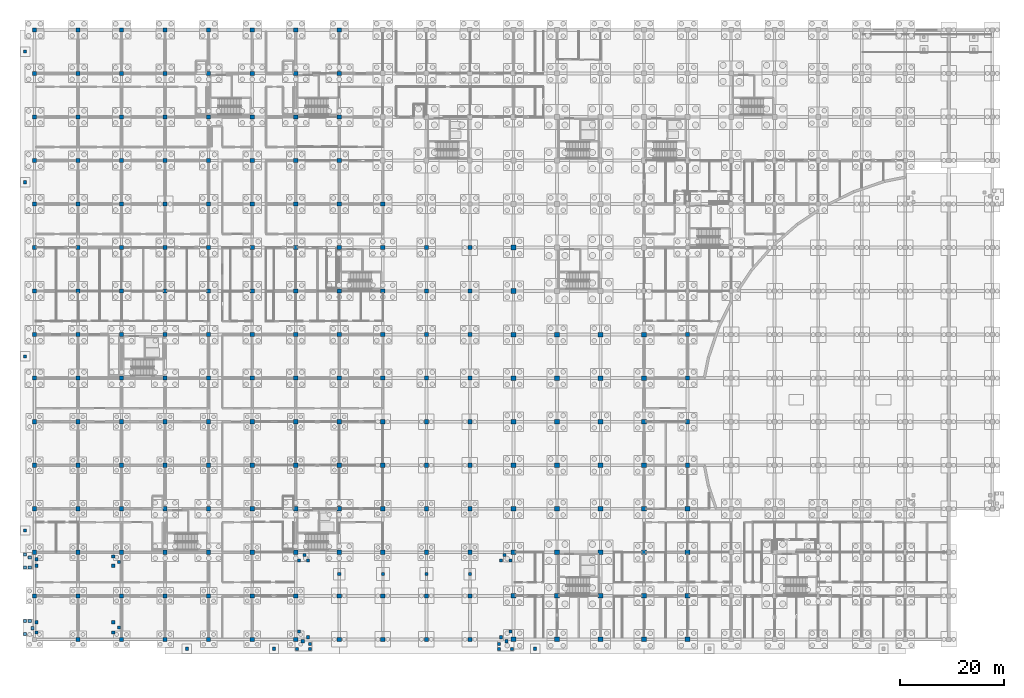
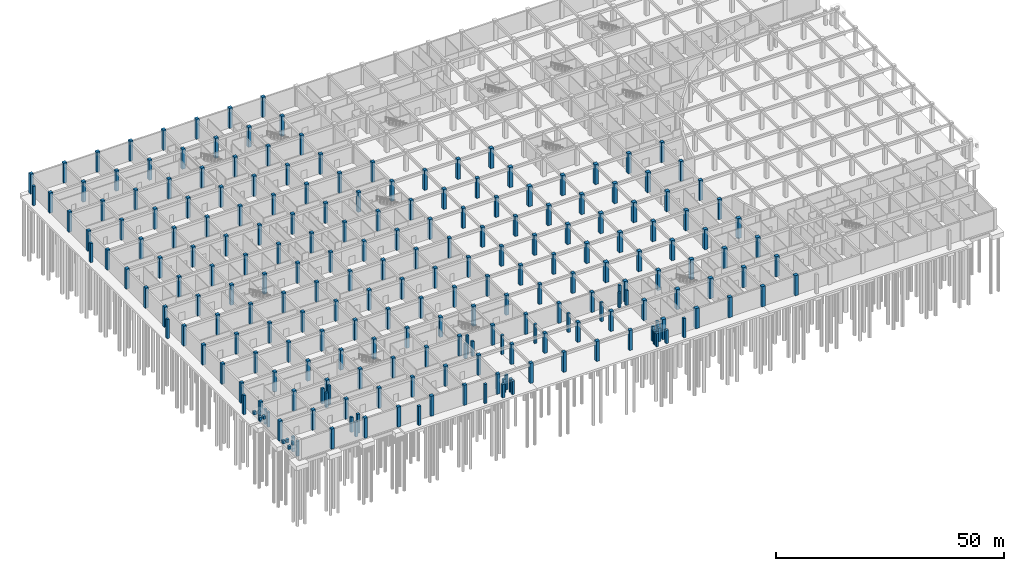
# One storey, part 18 of 65: 239 columns.
"""IFC4 building model written with IfcOpenShell, lengths in metres."""

from ifc_helpers import new_model, si_unit, direction, frame, origin, origin_2d, place, context, subcontext, project, spatial, rectangle, extrude, material, material_profile, profile_set, type_object, element, save


model = new_model("IFC4")

# Units and contexts
model_context = context("Model", 3, precision=1e-05, world=origin(), true_north=direction((0.0, 1.0)))
body_context = subcontext(model_context, "Body", "Model", "MODEL_VIEW")
ifc_project = project(units=[si_unit("LENGTHUNIT", "METRE"), si_unit("AREAUNIT", "SQUARE_METRE"), si_unit("VOLUMEUNIT", "CUBIC_METRE"), si_unit("PLANEANGLEUNIT", "RADIAN"), si_unit("MASSUNIT", "GRAM", prefix="KILO")], contexts=[model_context])

# Site, building, storey
site_placement = place(None, origin())
site = spatial("IfcSite", under=ifc_project, at=site_placement, CompositionType="ELEMENT")
building_placement = place(site_placement, origin())
building = spatial("IfcBuilding", under=site, at=building_placement, Name="Bramfleet General Hospital", CompositionType="ELEMENT")
storey_placement = place(building_placement, frame((0.0, 0.0, -5.39990234375)))
storey = spatial("IfcBuildingStorey", under=building, at=storey_placement, Name="B1", CompositionType="ELEMENT", Elevation=-5.39990234375)

# Columns
ifc_material = material(Name="Concrete C40/50", Category="concrete")
ifc_material_profile_1 = material_profile(ifc_material, rectangle(XDim=0.60009765625, YDim=0.60009765625, at=origin_2d()), Name="RC COL 600x600")
ifc_profile_set_1 = profile_set([ifc_material_profile_1], Name="Concrete C40/50")
column_type_1 = type_object("IfcColumnType", Name="COL-RC600", PredefinedType="COLUMN", material=ifc_profile_set_1)
for number, where, z_axis, x_axis, name in (
    (1, (58.800048828125, 12.60009765625, 0.0), (0.0, 0.0, 1.0), (1.0, 0.0, 0.0), "Canopy Basement Support Column 1"),
    (2, (67.199951171875, 12.60009765625, 0.0), (0.0, 0.0, 1.0), (1.0, 0.0, 0.0), "Canopy Basement Support Column 2"),
    (3, (75.60009765625, 12.60009765625, 0.0), (0.0, 0.0, 1.0), (1.0, 0.0, 0.0), "Canopy Basement Support Column 3"),
    (4, (84.0, 12.60009765625, 0.0), (0.0, 0.0, 1.0), (1.0, 0.0, 0.0), "Canopy Basement Support Column 4"),
):
    element("IfcColumn", number, at=place(storey_placement, frame(where, z_axis=z_axis, x_axis=x_axis)), inside=storey, type_object=column_type_1, Name=name, PredefinedType="COLUMN", context=body_context, shape_type="SweptSolid", body=[
        extrude(rectangle(XDim=0.60009765625, YDim=0.60009765625, at=origin_2d()), origin(), (0.0, 0.0, 1.0), 5.08984375),
    ])
for number, where, z_axis, x_axis, name in (
    (5, (-1.800048828125, 21.0, 0.0), (0.0, 0.0, 1.0), (1.0, 0.0, 0.0), "West Plinth Support Column 1"),
    (6, (-1.800048828125, 54.60009765625, 0.0), (0.0, 0.0, 1.0), (1.0, 0.0, 0.0), "West Plinth Support Column 2"),
    (7, (-1.800048828125, 88.199951171875, 0.0), (0.0, 0.0, 1.0), (1.0, 0.0, 0.0), "West Plinth Support Column 3"),
    (8, (-1.800048828125, 113.39990234375, 0.0), (0.0, 0.0, 1.0), (1.0, 0.0, 0.0), "West Plinth Support Column 4"),
    (9, (29.39990234375, -1.800048828125, 0.0), (0.0, 0.0, 1.0), (1.0, 0.0, 0.0), "South Plinth Support Column 1"),
    (10, (46.199951171875, -1.800048828125, 0.0), (0.0, 0.0, 1.0), (1.0, 0.0, 0.0), "South Plinth Support Column 2"),
    (11, (96.60009765625, -1.800048828125, 0.0), (0.0, 0.0, 1.0), (1.0, 0.0, 0.0), "South Plinth Support Column 3"),
):
    element("IfcColumn", number, at=place(storey_placement, frame(where, z_axis=z_axis, x_axis=x_axis)), inside=storey, type_object=column_type_1, Name=name, PredefinedType="COLUMN", context=body_context, shape_type="SweptSolid", body=[
        extrude(rectangle(XDim=0.60009765625, YDim=0.60009765625, at=origin_2d()), origin(), (0.0, 0.0, 1.0), 5.14990234375),
    ])
for number, where, z_axis, x_axis, name in (
    (12, (51.0, 1.5, 0.0), (0.0, 0.0, 1.0), (1.0, 0.0, 0.0), "Ramp Bearing Support Column 1.1"),
    (13, (52.800048828125, 0.39990234375, 0.0), (0.0, 0.0, 1.0), (1.0, 0.0, 0.0), "Ramp Bearing Support Column 1.2"),
    (14, (52.800048828125, 15.199951171875, 0.0), (0.0, 0.0, 1.0), (1.0, 0.0, 0.0), "Ramp Bearing Support Column 1.3"),
    (15, (51.0, 15.199951171875, 0.0), (0.0, 0.0, 1.0), (1.0, 0.0, 0.0), "Ramp Bearing Support Column 1.4"),
):
    element("IfcColumn", number, at=place(storey_placement, frame(where, z_axis=z_axis, x_axis=x_axis)), inside=storey, type_object=column_type_1, Name=name, PredefinedType="COLUMN", context=body_context, shape_type="SweptSolid", body=[
        extrude(rectangle(XDim=0.60009765625, YDim=0.60009765625, at=origin_2d()), origin(), (0.0, 0.0, 1.0), 4.0),
    ])
column_1_placement = place(storey_placement, frame((52.10009765625, 16.300048828125, 0.0), z_axis=(0.0, 0.0, 1.0), x_axis=(1.0, 0.0, 0.0)))
element("IfcColumn", 16, at=column_1_placement, inside=storey, type_object=column_type_1, Name="Ramp Bearing Support Column 1.5", PredefinedType="COLUMN", context=body_context, shape_type="SweptSolid", body=[
    extrude(rectangle(XDim=0.60009765625, YDim=0.60009765625, at=origin_2d()), origin(), (0.0, 0.0, 1.0), 5.08984375),
])
for number, where, z_axis, x_axis, name in (
    (17, (50.64990234375, -1.85009765625, 0.0), (0.0, 0.0, 1.0), (1.0, 0.0, 0.0), "Threshold Support Column 1.1"),
    (18, (53.14990234375, -1.85009765625, 0.0), (0.0, 0.0, 1.0), (1.0, 0.0, 0.0), "Threshold Support Column 1.2"),
    (19, (53.14990234375, -0.919921875, 0.0), (0.0, 0.0, 1.0), (1.0, 0.0, 0.0), "Threshold Support Column 1.3"),
    (20, (51.75, -0.3701171875, 0.0), (0.0, 0.0, 1.0), (1.0, 0.0, 0.0), "Threshold Support Column 1.4"),
):
    element("IfcColumn", number, at=place(storey_placement, frame(where, z_axis=z_axis, x_axis=x_axis)), inside=storey, type_object=column_type_1, Name=name, PredefinedType="COLUMN", context=body_context, shape_type="SweptSolid", body=[
        extrude(rectangle(XDim=0.60009765625, YDim=0.60009765625, at=origin_2d()), origin(), (0.0, 0.0, 1.0), 3.599853515625),
    ])
for number, where, z_axis, x_axis, name in (
    (21, (90.0, 0.39990234375, 0.0), (0.0, 0.0, 1.0), (1.0, 0.0, 0.0), "Ramp Bearing Support Column 2.1"),
    (22, (91.800048828125, 1.5, 0.0), (0.0, 0.0, 1.0), (1.0, 0.0, 0.0), "Ramp Bearing Support Column 2.2"),
    (23, (91.800048828125, 15.199951171875, 0.0), (0.0, 0.0, 1.0), (1.0, 0.0, 0.0), "Ramp Bearing Support Column 2.3"),
    (24, (90.0, 15.199951171875, 0.0), (0.0, 0.0, 1.0), (1.0, 0.0, 0.0), "Ramp Bearing Support Column 2.4"),
):
    element("IfcColumn", number, at=place(storey_placement, frame(where, z_axis=z_axis, x_axis=x_axis)), inside=storey, type_object=column_type_1, Name=name, PredefinedType="COLUMN", context=body_context, shape_type="SweptSolid", body=[
        extrude(rectangle(XDim=0.60009765625, YDim=0.60009765625, at=origin_2d()), origin(), (0.0, 0.0, 1.0), 4.0),
    ])
column_2_placement = place(storey_placement, frame((90.699951171875, 16.300048828125, 0.0), z_axis=(0.0, 0.0, 1.0), x_axis=(1.0, 0.0, 0.0)))
element("IfcColumn", 25, at=column_2_placement, inside=storey, type_object=column_type_1, Name="Ramp Bearing Support Column 2.5", PredefinedType="COLUMN", context=body_context, shape_type="SweptSolid", body=[
    extrude(rectangle(XDim=0.60009765625, YDim=0.60009765625, at=origin_2d()), origin(), (0.0, 0.0, 1.0), 5.08984375),
])
for number, where, z_axis, x_axis, name in (
    (26, (89.64990234375, -1.85009765625, 0.0), (0.0, 0.0, 1.0), (1.0, 0.0, 0.0), "Threshold Support Column 2.1"),
    (27, (92.14990234375, -1.85009765625, 0.0), (0.0, 0.0, 1.0), (1.0, 0.0, 0.0), "Threshold Support Column 2.2"),
    (28, (91.050048828125, -0.3701171875, 0.0), (0.0, 0.0, 1.0), (1.0, 0.0, 0.0), "Threshold Support Column 2.3"),
    (29, (89.64990234375, -0.919921875, 0.0), (0.0, 0.0, 1.0), (1.0, 0.0, 0.0), "Threshold Support Column 2.4"),
):
    element("IfcColumn", number, at=place(storey_placement, frame(where, z_axis=z_axis, x_axis=x_axis)), inside=storey, type_object=column_type_1, Name=name, PredefinedType="COLUMN", context=body_context, shape_type="SweptSolid", body=[
        extrude(rectangle(XDim=0.60009765625, YDim=0.60009765625, at=origin_2d()), origin(), (0.0, 0.0, 1.0), 3.599853515625),
    ])
for number, where, z_axis, x_axis, name in (
    (30, (0.39990234375, 1.300048828125, 0.0), (0.0, 0.0, 1.0), (1.0, 0.0, 0.0), "Ramp Bearing Support Column 3.1"),
    (31, (15.199951171875, 1.300048828125, 0.0), (0.0, 0.0, 1.0), (1.0, 0.0, 0.0), "Ramp Bearing Support Column 3.2"),
    (32, (15.199951171875, 3.300048828125, 0.0), (0.0, 0.0, 1.0), (1.0, 0.0, 0.0), "Ramp Bearing Support Column 3.3"),
    (33, (0.39990234375, 3.300048828125, 0.0), (0.0, 0.0, 1.0), (1.0, 0.0, 0.0), "Ramp Bearing Support Column 3.4"),
):
    element("IfcColumn", number, at=place(storey_placement, frame(where, z_axis=z_axis, x_axis=x_axis)), inside=storey, type_object=column_type_1, Name=name, PredefinedType="COLUMN", context=body_context, shape_type="SweptSolid", body=[
        extrude(rectangle(XDim=0.60009765625, YDim=0.60009765625, at=origin_2d()), origin(), (0.0, 0.0, 1.0), 4.0),
    ])
column_3_placement = place(storey_placement, frame((16.300048828125, 2.300048828125, 0.0), z_axis=(0.0, 0.0, 1.0), x_axis=(1.0, 0.0, 0.0)))
element("IfcColumn", 34, at=column_3_placement, inside=storey, type_object=column_type_1, Name="Ramp Bearing Support Column 3.5", PredefinedType="COLUMN", context=body_context, shape_type="SweptSolid", body=[
    extrude(rectangle(XDim=0.60009765625, YDim=0.60009765625, at=origin_2d()), origin(), (0.0, 0.0, 1.0), 5.08984375),
])
for number, where, z_axis, x_axis, name in (
    (35, (-1.85009765625, 1.050048828125, 2.75), (0.0, 0.0, 1.0), (1.0, 0.0, 0.0), "Threshold Support Column 3.1"),
    (36, (-0.3701171875, 2.14990234375, 2.75), (0.0, 0.0, 1.0), (1.0, 0.0, 0.0), "Threshold Support Column 3.2"),
    (37, (-0.919921875, 3.550048828125, 2.75), (0.0, 0.0, 1.0), (1.0, 0.0, 0.0), "Threshold Support Column 3.3"),
    (38, (-1.85009765625, 3.550048828125, 2.75), (0.0, 0.0, 1.0), (1.0, 0.0, 0.0), "Threshold Support Column 3.4"),
):
    element("IfcColumn", number, at=place(storey_placement, frame(where, z_axis=z_axis, x_axis=x_axis)), inside=storey, type_object=column_type_1, Name=name, PredefinedType="COLUMN", context=body_context, shape_type="SweptSolid", body=[
        extrude(rectangle(XDim=0.60009765625, YDim=0.60009765625, at=origin_2d()), origin(), (0.0, 0.0, 1.0), 0.849853515625),
    ])
for number, where, z_axis, x_axis, name in (
    (39, (0.39990234375, 14.199951171875, 0.0), (0.0, 0.0, 1.0), (1.0, 0.0, 0.0), "Ramp Bearing Support Column 4.1"),
    (40, (15.199951171875, 14.199951171875, 0.0), (0.0, 0.0, 1.0), (1.0, 0.0, 0.0), "Ramp Bearing Support Column 4.2"),
    (41, (15.199951171875, 16.0, 0.0), (0.0, 0.0, 1.0), (1.0, 0.0, 0.0), "Ramp Bearing Support Column 4.3"),
    (42, (0.39990234375, 15.449951171875, 0.0), (0.0, 0.0, 1.0), (1.0, 0.0, 0.0), "Ramp Bearing Support Column 4.4"),
):
    element("IfcColumn", number, at=place(storey_placement, frame(where, z_axis=z_axis, x_axis=x_axis)), inside=storey, type_object=column_type_1, Name=name, PredefinedType="COLUMN", context=body_context, shape_type="SweptSolid", body=[
        extrude(rectangle(XDim=0.60009765625, YDim=0.60009765625, at=origin_2d()), origin(), (0.0, 0.0, 1.0), 4.0),
    ])
column_4_placement = place(storey_placement, frame((16.300048828125, 14.89990234375, 0.0), z_axis=(0.0, 0.0, 1.0), x_axis=(1.0, 0.0, 0.0)))
element("IfcColumn", 43, at=column_4_placement, inside=storey, type_object=column_type_1, Name="Ramp Bearing Support Column 4.5", PredefinedType="COLUMN", context=body_context, shape_type="SweptSolid", body=[
    extrude(rectangle(XDim=0.60009765625, YDim=0.60009765625, at=origin_2d()), origin(), (0.0, 0.0, 1.0), 5.08984375),
])
for number, where, z_axis, x_axis, name in (
    (44, (-1.85009765625, 13.85009765625, 2.75), (0.0, 0.0, 1.0), (1.0, 0.0, 0.0), "Threshold Support Column 4.1"),
    (45, (-0.919921875, 13.85009765625, 2.75), (0.0, 0.0, 1.0), (1.0, 0.0, 0.0), "Threshold Support Column 4.2"),
    (46, (-0.919921875, 15.800048828125, 2.75), (0.0, 0.0, 1.0), (1.0, 0.0, 0.0), "Threshold Support Column 4.3"),
    (47, (-1.85009765625, 16.35009765625, 2.75), (0.0, 0.0, 1.0), (1.0, 0.0, 0.0), "Threshold Support Column 4.4"),
):
    element("IfcColumn", number, at=place(storey_placement, frame(where, z_axis=z_axis, x_axis=x_axis)), inside=storey, type_object=column_type_1, Name=name, PredefinedType="COLUMN", context=body_context, shape_type="SweptSolid", body=[
        extrude(rectangle(XDim=0.60009765625, YDim=0.60009765625, at=origin_2d()), origin(), (0.0, 0.0, 1.0), 0.849853515625),
    ])
ifc_material_profile_2 = material_profile(ifc_material, rectangle(XDim=0.800048828125, YDim=0.800048828125, at=origin_2d()), Name="RC COL 800x800")
ifc_profile_set_2 = profile_set([ifc_material_profile_2], Name="Concrete C40/50")
column_type_2 = type_object("IfcColumnType", Name="COL-RC800", PredefinedType="COLUMN", material=ifc_profile_set_2)
for number, where, z_axis, x_axis, name in (
    (48, (0.0, 8.39990234375, 0.0), (0.0, 0.0, 1.0), (1.0, 0.0, 0.0), "Column COL-B1-00-01"),
    (49, (0.0, 16.800048828125, 0.0), (0.0, 0.0, 1.0), (1.0, 0.0, 0.0), "Column COL-B1-00-02"),
    (50, (0.0, 25.199951171875, 0.0), (0.0, 0.0, 1.0), (1.0, 0.0, 0.0), "Column COL-B1-00-03"),
    (51, (0.0, 33.60009765625, 0.0), (0.0, 0.0, 1.0), (1.0, 0.0, 0.0), "Column COL-B1-00-04"),
    (52, (0.0, 42.0, 0.0), (0.0, 0.0, 1.0), (1.0, 0.0, 0.0), "Column COL-B1-00-05"),
    (53, (0.0, 50.39990234375, 0.0), (0.0, 0.0, 1.0), (1.0, 0.0, 0.0), "Column COL-B1-00-06"),
    (54, (0.0, 58.800048828125, 0.0), (0.0, 0.0, 1.0), (1.0, 0.0, 0.0), "Column COL-B1-00-07"),
    (55, (0.0, 67.199951171875, 0.0), (0.0, 0.0, 1.0), (1.0, 0.0, 0.0), "Column COL-B1-00-08"),
    (56, (0.0, 75.60009765625, 0.0), (0.0, 0.0, 1.0), (1.0, 0.0, 0.0), "Column COL-B1-00-09"),
    (57, (0.0, 84.0, 0.0), (0.0, 0.0, 1.0), (1.0, 0.0, 0.0), "Column COL-B1-00-10"),
    (58, (0.0, 92.39990234375, 0.0), (0.0, 0.0, 1.0), (1.0, 0.0, 0.0), "Column COL-B1-00-11"),
    (59, (0.0, 100.800048828125, 0.0), (0.0, 0.0, 1.0), (1.0, 0.0, 0.0), "Column COL-B1-00-12"),
    (60, (0.0, 109.199951171875, 0.0), (0.0, 0.0, 1.0), (1.0, 0.0, 0.0), "Column COL-B1-00-13"),
    (61, (0.0, 117.60009765625, 0.0), (0.0, 0.0, 1.0), (1.0, 0.0, 0.0), "Column COL-B1-00-14"),
    (62, (8.39990234375, 0.0, 0.0), (0.0, 0.0, 1.0), (1.0, 0.0, 0.0), "Column COL-B1-01-00"),
    (63, (8.39990234375, 8.39990234375, 0.0), (0.0, 0.0, 1.0), (1.0, 0.0, 0.0), "Column COL-B1-01-01"),
    (64, (8.39990234375, 16.800048828125, 0.0), (0.0, 0.0, 1.0), (1.0, 0.0, 0.0), "Column COL-B1-01-02"),
    (65, (8.39990234375, 25.199951171875, 0.0), (0.0, 0.0, 1.0), (1.0, 0.0, 0.0), "Column COL-B1-01-03"),
    (66, (8.39990234375, 33.60009765625, 0.0), (0.0, 0.0, 1.0), (1.0, 0.0, 0.0), "Column COL-B1-01-04"),
    (67, (8.39990234375, 42.0, 0.0), (0.0, 0.0, 1.0), (1.0, 0.0, 0.0), "Column COL-B1-01-05"),
    (68, (8.39990234375, 50.39990234375, 0.0), (0.0, 0.0, 1.0), (1.0, 0.0, 0.0), "Column COL-B1-01-06"),
    (69, (8.39990234375, 58.800048828125, 0.0), (0.0, 0.0, 1.0), (1.0, 0.0, 0.0), "Column COL-B1-01-07"),
    (70, (8.39990234375, 67.199951171875, 0.0), (0.0, 0.0, 1.0), (1.0, 0.0, 0.0), "Column COL-B1-01-08"),
    (71, (8.39990234375, 75.60009765625, 0.0), (0.0, 0.0, 1.0), (1.0, 0.0, 0.0), "Column COL-B1-01-09"),
    (72, (8.39990234375, 84.0, 0.0), (0.0, 0.0, 1.0), (1.0, 0.0, 0.0), "Column COL-B1-01-10"),
    (73, (8.39990234375, 92.39990234375, 0.0), (0.0, 0.0, 1.0), (1.0, 0.0, 0.0), "Column COL-B1-01-11"),
    (74, (8.39990234375, 100.800048828125, 0.0), (0.0, 0.0, 1.0), (1.0, 0.0, 0.0), "Column COL-B1-01-12"),
    (75, (8.39990234375, 109.199951171875, 0.0), (0.0, 0.0, 1.0), (1.0, 0.0, 0.0), "Column COL-B1-01-13"),
    (76, (8.39990234375, 117.60009765625, 0.0), (0.0, 0.0, 1.0), (1.0, 0.0, 0.0), "Column COL-B1-01-14"),
    (77, (16.800048828125, 0.0, 0.0), (0.0, 0.0, 1.0), (1.0, 0.0, 0.0), "Column COL-B1-02-00"),
    (78, (16.800048828125, 8.39990234375, 0.0), (0.0, 0.0, 1.0), (1.0, 0.0, 0.0), "Column COL-B1-02-01"),
    (79, (16.800048828125, 16.800048828125, 0.0), (0.0, 0.0, 1.0), (1.0, 0.0, 0.0), "Column COL-B1-02-02"),
    (80, (16.800048828125, 25.199951171875, 0.0), (0.0, 0.0, 1.0), (1.0, 0.0, 0.0), "Column COL-B1-02-03"),
    (81, (16.800048828125, 33.60009765625, 0.0), (0.0, 0.0, 1.0), (1.0, 0.0, 0.0), "Column COL-B1-02-04"),
    (82, (16.800048828125, 42.0, 0.0), (0.0, 0.0, 1.0), (1.0, 0.0, 0.0), "Column COL-B1-02-05"),
    (83, (16.800048828125, 50.39990234375, 0.0), (0.0, 0.0, 1.0), (1.0, 0.0, 0.0), "Column COL-B1-02-06"),
    (84, (16.800048828125, 58.800048828125, 0.0), (0.0, 0.0, 1.0), (1.0, 0.0, 0.0), "Column COL-B1-02-07"),
    (85, (16.800048828125, 67.199951171875, 0.0), (0.0, 0.0, 1.0), (1.0, 0.0, 0.0), "Column COL-B1-02-08"),
    (86, (16.800048828125, 75.60009765625, 0.0), (0.0, 0.0, 1.0), (1.0, 0.0, 0.0), "Column COL-B1-02-09"),
    (87, (16.800048828125, 84.0, 0.0), (0.0, 0.0, 1.0), (1.0, 0.0, 0.0), "Column COL-B1-02-10"),
    (88, (16.800048828125, 92.39990234375, 0.0), (0.0, 0.0, 1.0), (1.0, 0.0, 0.0), "Column COL-B1-02-11"),
    (89, (16.800048828125, 100.800048828125, 0.0), (0.0, 0.0, 1.0), (1.0, 0.0, 0.0), "Column COL-B1-02-12"),
    (90, (16.800048828125, 109.199951171875, 0.0), (0.0, 0.0, 1.0), (1.0, 0.0, 0.0), "Column COL-B1-02-13"),
    (91, (16.800048828125, 117.60009765625, 0.0), (0.0, 0.0, 1.0), (1.0, 0.0, 0.0), "Column COL-B1-02-14"),
    (92, (25.199951171875, 0.0, 0.0), (0.0, 0.0, 1.0), (1.0, 0.0, 0.0), "Column COL-B1-03-00"),
    (93, (25.199951171875, 8.39990234375, 0.0), (0.0, 0.0, 1.0), (1.0, 0.0, 0.0), "Column COL-B1-03-01"),
    (94, (25.199951171875, 16.800048828125, 0.0), (0.0, 0.0, 1.0), (1.0, 0.0, 0.0), "Column COL-B1-03-02"),
    (95, (25.199951171875, 25.199951171875, 0.0), (0.0, 0.0, 1.0), (1.0, 0.0, 0.0), "Column COL-B1-03-03"),
    (96, (25.199951171875, 33.60009765625, 0.0), (0.0, 0.0, 1.0), (1.0, 0.0, 0.0), "Column COL-B1-03-04"),
    (97, (25.199951171875, 42.0, 0.0), (0.0, 0.0, 1.0), (1.0, 0.0, 0.0), "Column COL-B1-03-05"),
    (98, (25.199951171875, 50.39990234375, 0.0), (0.0, 0.0, 1.0), (1.0, 0.0, 0.0), "Column COL-B1-03-06"),
    (99, (25.199951171875, 58.800048828125, 0.0), (0.0, 0.0, 1.0), (1.0, 0.0, 0.0), "Column COL-B1-03-07"),
    (100, (25.199951171875, 67.199951171875, 0.0), (0.0, 0.0, 1.0), (1.0, 0.0, 0.0), "Column COL-B1-03-08"),
    (101, (25.199951171875, 75.60009765625, 0.0), (0.0, 0.0, 1.0), (1.0, 0.0, 0.0), "Column COL-B1-03-09"),
    (102, (25.199951171875, 84.0, 0.0), (0.0, 0.0, 1.0), (1.0, 0.0, 0.0), "Column COL-B1-03-10"),
    (103, (25.199951171875, 92.39990234375, 0.0), (0.0, 0.0, 1.0), (1.0, 0.0, 0.0), "Column COL-B1-03-11"),
    (104, (25.199951171875, 100.800048828125, 0.0), (0.0, 0.0, 1.0), (1.0, 0.0, 0.0), "Column COL-B1-03-12"),
    (105, (25.199951171875, 109.199951171875, 0.0), (0.0, 0.0, 1.0), (1.0, 0.0, 0.0), "Column COL-B1-03-13"),
    (106, (25.199951171875, 117.60009765625, 0.0), (0.0, 0.0, 1.0), (1.0, 0.0, 0.0), "Column COL-B1-03-14"),
    (107, (33.60009765625, 0.0, 0.0), (0.0, 0.0, 1.0), (1.0, 0.0, 0.0), "Column COL-B1-04-00"),
    (108, (33.60009765625, 8.39990234375, 0.0), (0.0, 0.0, 1.0), (1.0, 0.0, 0.0), "Column COL-B1-04-01"),
    (109, (33.60009765625, 16.800048828125, 0.0), (0.0, 0.0, 1.0), (1.0, 0.0, 0.0), "Column COL-B1-04-02"),
    (110, (33.60009765625, 25.199951171875, 0.0), (0.0, 0.0, 1.0), (1.0, 0.0, 0.0), "Column COL-B1-04-03"),
    (111, (33.60009765625, 33.60009765625, 0.0), (0.0, 0.0, 1.0), (1.0, 0.0, 0.0), "Column COL-B1-04-04"),
    (112, (33.60009765625, 42.0, 0.0), (0.0, 0.0, 1.0), (1.0, 0.0, 0.0), "Column COL-B1-04-05"),
    (113, (33.60009765625, 50.39990234375, 0.0), (0.0, 0.0, 1.0), (1.0, 0.0, 0.0), "Column COL-B1-04-06"),
    (114, (33.60009765625, 58.800048828125, 0.0), (0.0, 0.0, 1.0), (1.0, 0.0, 0.0), "Column COL-B1-04-07"),
    (115, (33.60009765625, 67.199951171875, 0.0), (0.0, 0.0, 1.0), (1.0, 0.0, 0.0), "Column COL-B1-04-08"),
    (116, (33.60009765625, 75.60009765625, 0.0), (0.0, 0.0, 1.0), (1.0, 0.0, 0.0), "Column COL-B1-04-09"),
    (117, (33.60009765625, 84.0, 0.0), (0.0, 0.0, 1.0), (1.0, 0.0, 0.0), "Column COL-B1-04-10"),
    (118, (33.60009765625, 92.39990234375, 0.0), (0.0, 0.0, 1.0), (1.0, 0.0, 0.0), "Column COL-B1-04-11"),
    (119, (33.60009765625, 100.800048828125, 0.0), (0.0, 0.0, 1.0), (1.0, 0.0, 0.0), "Column COL-B1-04-12"),
    (120, (33.60009765625, 109.199951171875, 0.0), (0.0, 0.0, 1.0), (1.0, 0.0, 0.0), "Column COL-B1-04-13"),
    (121, (33.60009765625, 117.60009765625, 0.0), (0.0, 0.0, 1.0), (1.0, 0.0, 0.0), "Column COL-B1-04-14"),
    (122, (42.0, 0.0, 0.0), (0.0, 0.0, 1.0), (1.0, 0.0, 0.0), "Column COL-B1-05-00"),
    (123, (42.0, 8.39990234375, 0.0), (0.0, 0.0, 1.0), (1.0, 0.0, 0.0), "Column COL-B1-05-01"),
    (124, (42.0, 16.800048828125, 0.0), (0.0, 0.0, 1.0), (1.0, 0.0, 0.0), "Column COL-B1-05-02"),
    (125, (42.0, 25.199951171875, 0.0), (0.0, 0.0, 1.0), (1.0, 0.0, 0.0), "Column COL-B1-05-03"),
    (126, (42.0, 33.60009765625, 0.0), (0.0, 0.0, 1.0), (1.0, 0.0, 0.0), "Column COL-B1-05-04"),
    (127, (42.0, 42.0, 0.0), (0.0, 0.0, 1.0), (1.0, 0.0, 0.0), "Column COL-B1-05-05"),
    (128, (42.0, 50.39990234375, 0.0), (0.0, 0.0, 1.0), (1.0, 0.0, 0.0), "Column COL-B1-05-06"),
    (129, (42.0, 58.800048828125, 0.0), (0.0, 0.0, 1.0), (1.0, 0.0, 0.0), "Column COL-B1-05-07"),
    (130, (42.0, 67.199951171875, 0.0), (0.0, 0.0, 1.0), (1.0, 0.0, 0.0), "Column COL-B1-05-08"),
    (131, (42.0, 75.60009765625, 0.0), (0.0, 0.0, 1.0), (1.0, 0.0, 0.0), "Column COL-B1-05-09"),
    (132, (42.0, 84.0, 0.0), (0.0, 0.0, 1.0), (1.0, 0.0, 0.0), "Column COL-B1-05-10"),
    (133, (42.0, 92.39990234375, 0.0), (0.0, 0.0, 1.0), (1.0, 0.0, 0.0), "Column COL-B1-05-11"),
    (134, (42.0, 100.800048828125, 0.0), (0.0, 0.0, 1.0), (1.0, 0.0, 0.0), "Column COL-B1-05-12"),
    (135, (42.0, 109.199951171875, 0.0), (0.0, 0.0, 1.0), (1.0, 0.0, 0.0), "Column COL-B1-05-13"),
    (136, (42.0, 117.60009765625, 0.0), (0.0, 0.0, 1.0), (1.0, 0.0, 0.0), "Column COL-B1-05-14"),
    (137, (50.39990234375, 0.0, 0.0), (0.0, 0.0, 1.0), (1.0, 0.0, 0.0), "Column COL-B1-06-00"),
    (138, (50.39990234375, 8.39990234375, 0.0), (0.0, 0.0, 1.0), (1.0, 0.0, 0.0), "Column COL-B1-06-01"),
    (139, (50.39990234375, 16.800048828125, 0.0), (0.0, 0.0, 1.0), (1.0, 0.0, 0.0), "Column COL-B1-06-02"),
    (140, (50.39990234375, 25.199951171875, 0.0), (0.0, 0.0, 1.0), (1.0, 0.0, 0.0), "Column COL-B1-06-03"),
    (141, (50.39990234375, 33.60009765625, 0.0), (0.0, 0.0, 1.0), (1.0, 0.0, 0.0), "Column COL-B1-06-04"),
    (142, (50.39990234375, 42.0, 0.0), (0.0, 0.0, 1.0), (1.0, 0.0, 0.0), "Column COL-B1-06-05"),
    (143, (50.39990234375, 50.39990234375, 0.0), (0.0, 0.0, 1.0), (1.0, 0.0, 0.0), "Column COL-B1-06-06"),
    (144, (50.39990234375, 58.800048828125, 0.0), (0.0, 0.0, 1.0), (1.0, 0.0, 0.0), "Column COL-B1-06-07"),
    (145, (50.39990234375, 67.199951171875, 0.0), (0.0, 0.0, 1.0), (1.0, 0.0, 0.0), "Column COL-B1-06-08"),
    (146, (50.39990234375, 75.60009765625, 0.0), (0.0, 0.0, 1.0), (1.0, 0.0, 0.0), "Column COL-B1-06-09"),
    (147, (50.39990234375, 84.0, 0.0), (0.0, 0.0, 1.0), (1.0, 0.0, 0.0), "Column COL-B1-06-10"),
    (148, (50.39990234375, 92.39990234375, 0.0), (0.0, 0.0, 1.0), (1.0, 0.0, 0.0), "Column COL-B1-06-11"),
    (149, (50.39990234375, 100.800048828125, 0.0), (0.0, 0.0, 1.0), (1.0, 0.0, 0.0), "Column COL-B1-06-12"),
    (150, (50.39990234375, 109.199951171875, 0.0), (0.0, 0.0, 1.0), (1.0, 0.0, 0.0), "Column COL-B1-06-13"),
    (151, (50.39990234375, 117.60009765625, 0.0), (0.0, 0.0, 1.0), (1.0, 0.0, 0.0), "Column COL-B1-06-14"),
    (152, (58.800048828125, 0.0, 0.0), (0.0, 0.0, 1.0), (1.0, 0.0, 0.0), "Column COL-B1-07-00"),
    (153, (58.800048828125, 8.39990234375, 0.0), (0.0, 0.0, 1.0), (1.0, 0.0, 0.0), "Column COL-B1-07-01"),
    (154, (58.800048828125, 16.800048828125, 0.0), (0.0, 0.0, 1.0), (1.0, 0.0, 0.0), "Column COL-B1-07-02"),
    (155, (58.800048828125, 25.199951171875, 0.0), (0.0, 0.0, 1.0), (1.0, 0.0, 0.0), "Column COL-B1-07-03"),
    (156, (58.800048828125, 33.60009765625, 0.0), (0.0, 0.0, 1.0), (1.0, 0.0, 0.0), "Column COL-B1-07-04"),
    (157, (58.800048828125, 42.0, 0.0), (0.0, 0.0, 1.0), (1.0, 0.0, 0.0), "Column COL-B1-07-05"),
    (158, (58.800048828125, 50.39990234375, 0.0), (0.0, 0.0, 1.0), (1.0, 0.0, 0.0), "Column COL-B1-07-06"),
    (159, (58.800048828125, 58.800048828125, 0.0), (0.0, 0.0, 1.0), (1.0, 0.0, 0.0), "Column COL-B1-07-07"),
    (160, (58.800048828125, 67.199951171875, 0.0), (0.0, 0.0, 1.0), (1.0, 0.0, 0.0), "Column COL-B1-07-08"),
    (161, (58.800048828125, 75.60009765625, 0.0), (0.0, 0.0, 1.0), (1.0, 0.0, 0.0), "Column COL-B1-07-09"),
    (162, (58.800048828125, 84.0, 0.0), (0.0, 0.0, 1.0), (1.0, 0.0, 0.0), "Column COL-B1-07-10"),
    (163, (58.800048828125, 92.39990234375, 0.0), (0.0, 0.0, 1.0), (1.0, 0.0, 0.0), "Column COL-B1-07-11"),
    (164, (58.800048828125, 100.800048828125, 0.0), (0.0, 0.0, 1.0), (1.0, 0.0, 0.0), "Column COL-B1-07-12"),
    (165, (58.800048828125, 109.199951171875, 0.0), (0.0, 0.0, 1.0), (1.0, 0.0, 0.0), "Column COL-B1-07-13"),
    (166, (58.800048828125, 117.60009765625, 0.0), (0.0, 0.0, 1.0), (1.0, 0.0, 0.0), "Column COL-B1-07-14"),
    (167, (67.199951171875, 0.0, 0.0), (0.0, 0.0, 1.0), (1.0, 0.0, 0.0), "Column COL-B1-08-00"),
    (168, (67.199951171875, 8.39990234375, 0.0), (0.0, 0.0, 1.0), (1.0, 0.0, 0.0), "Column COL-B1-08-01"),
    (169, (67.199951171875, 16.800048828125, 0.0), (0.0, 0.0, 1.0), (1.0, 0.0, 0.0), "Column COL-B1-08-02"),
    (170, (67.199951171875, 25.199951171875, 0.0), (0.0, 0.0, 1.0), (1.0, 0.0, 0.0), "Column COL-B1-08-03"),
    (171, (67.199951171875, 33.60009765625, 0.0), (0.0, 0.0, 1.0), (1.0, 0.0, 0.0), "Column COL-B1-08-04"),
    (172, (67.199951171875, 42.0, 0.0), (0.0, 0.0, 1.0), (1.0, 0.0, 0.0), "Column COL-B1-08-05"),
    (173, (67.199951171875, 50.39990234375, 0.0), (0.0, 0.0, 1.0), (1.0, 0.0, 0.0), "Column COL-B1-08-06"),
    (174, (67.199951171875, 58.800048828125, 0.0), (0.0, 0.0, 1.0), (1.0, 0.0, 0.0), "Column COL-B1-08-07"),
    (175, (67.199951171875, 67.199951171875, 0.0), (0.0, 0.0, 1.0), (1.0, 0.0, 0.0), "Column COL-B1-08-08"),
    (176, (67.199951171875, 75.60009765625, 0.0), (0.0, 0.0, 1.0), (1.0, 0.0, 0.0), "Column COL-B1-08-09"),
    (177, (67.199951171875, 84.0, 0.0), (0.0, 0.0, 1.0), (1.0, 0.0, 0.0), "Column COL-B1-08-10"),
    (178, (75.60009765625, 0.0, 0.0), (0.0, 0.0, 1.0), (1.0, 0.0, 0.0), "Column COL-B1-09-00"),
    (179, (75.60009765625, 8.39990234375, 0.0), (0.0, 0.0, 1.0), (1.0, 0.0, 0.0), "Column COL-B1-09-01"),
    (180, (75.60009765625, 16.800048828125, 0.0), (0.0, 0.0, 1.0), (1.0, 0.0, 0.0), "Column COL-B1-09-02"),
    (181, (75.60009765625, 25.199951171875, 0.0), (0.0, 0.0, 1.0), (1.0, 0.0, 0.0), "Column COL-B1-09-03"),
    (182, (75.60009765625, 33.60009765625, 0.0), (0.0, 0.0, 1.0), (1.0, 0.0, 0.0), "Column COL-B1-09-04"),
    (183, (75.60009765625, 42.0, 0.0), (0.0, 0.0, 1.0), (1.0, 0.0, 0.0), "Column COL-B1-09-05"),
    (184, (75.60009765625, 50.39990234375, 0.0), (0.0, 0.0, 1.0), (1.0, 0.0, 0.0), "Column COL-B1-09-06"),
    (185, (75.60009765625, 58.800048828125, 0.0), (0.0, 0.0, 1.0), (1.0, 0.0, 0.0), "Column COL-B1-09-07"),
    (186, (75.60009765625, 67.199951171875, 0.0), (0.0, 0.0, 1.0), (1.0, 0.0, 0.0), "Column COL-B1-09-08"),
    (187, (75.60009765625, 75.60009765625, 0.0), (0.0, 0.0, 1.0), (1.0, 0.0, 0.0), "Column COL-B1-09-09"),
    (188, (84.0, 0.0, 0.0), (0.0, 0.0, 1.0), (1.0, 0.0, 0.0), "Column COL-B1-10-00"),
    (189, (84.0, 8.39990234375, 0.0), (0.0, 0.0, 1.0), (1.0, 0.0, 0.0), "Column COL-B1-10-01"),
    (190, (84.0, 16.800048828125, 0.0), (0.0, 0.0, 1.0), (1.0, 0.0, 0.0), "Column COL-B1-10-02"),
    (191, (84.0, 25.199951171875, 0.0), (0.0, 0.0, 1.0), (1.0, 0.0, 0.0), "Column COL-B1-10-03"),
    (192, (84.0, 33.60009765625, 0.0), (0.0, 0.0, 1.0), (1.0, 0.0, 0.0), "Column COL-B1-10-04"),
    (193, (84.0, 42.0, 0.0), (0.0, 0.0, 1.0), (1.0, 0.0, 0.0), "Column COL-B1-10-05"),
    (194, (84.0, 50.39990234375, 0.0), (0.0, 0.0, 1.0), (1.0, 0.0, 0.0), "Column COL-B1-10-06"),
    (195, (84.0, 58.800048828125, 0.0), (0.0, 0.0, 1.0), (1.0, 0.0, 0.0), "Column COL-B1-10-07"),
    (196, (84.0, 67.199951171875, 0.0), (0.0, 0.0, 1.0), (1.0, 0.0, 0.0), "Column COL-B1-10-08"),
    (197, (84.0, 75.60009765625, 0.0), (0.0, 0.0, 1.0), (1.0, 0.0, 0.0), "Column COL-B1-10-09"),
    (198, (126.0, 33.60009765625, 0.0), (0.0, 0.0, 1.0), (1.0, 0.0, 0.0), "Column COL-B1-15-04"),
    (199, (126.0, 42.0, 0.0), (0.0, 0.0, 1.0), (1.0, 0.0, 0.0), "Column COL-B1-15-05"),
    (200, (126.0, 50.39990234375, 0.0), (0.0, 0.0, 1.0), (1.0, 0.0, 0.0), "Column COL-B1-15-06"),
    (201, (126.0, 58.800048828125, 0.0), (0.0, 0.0, 1.0), (1.0, 0.0, 0.0), "Column COL-B1-15-07"),
):
    element("IfcColumn", number, at=place(storey_placement, frame(where, z_axis=z_axis, x_axis=x_axis)), inside=storey, type_object=column_type_2, Name=name, PredefinedType="COLUMN", context=body_context, shape_type="SweptSolid", body=[
        extrude(rectangle(XDim=0.800048828125, YDim=0.800048828125, at=origin_2d()), origin(), (0.0, 0.0, 1.0), 5.39990234375),
    ])
ifc_material_profile_3 = material_profile(ifc_material, rectangle(XDim=0.89990234375, YDim=0.89990234375, at=origin_2d()), Name="RC COL 900x900")
ifc_profile_set_3 = profile_set([ifc_material_profile_3], Name="Concrete C40/50")
column_type_3 = type_object("IfcColumnType", Name="COL-RC900", PredefinedType="COLUMN", material=ifc_profile_set_3)
for number, where, z_axis, x_axis, name in (
    (202, (92.39990234375, 0.0, 0.0), (0.0, 0.0, 1.0), (1.0, 0.0, 0.0), "Column COL-B1-11-00"),
    (203, (92.39990234375, 8.39990234375, 0.0), (0.0, 0.0, 1.0), (1.0, 0.0, 0.0), "Column COL-B1-11-01"),
    (204, (92.39990234375, 16.800048828125, 0.0), (0.0, 0.0, 1.0), (1.0, 0.0, 0.0), "Column COL-B1-11-02"),
    (205, (92.39990234375, 25.199951171875, 0.0), (0.0, 0.0, 1.0), (1.0, 0.0, 0.0), "Column COL-B1-11-03"),
    (206, (92.39990234375, 33.60009765625, 0.0), (0.0, 0.0, 1.0), (1.0, 0.0, 0.0), "Column COL-B1-11-04"),
    (207, (92.39990234375, 42.0, 0.0), (0.0, 0.0, 1.0), (1.0, 0.0, 0.0), "Column COL-B1-11-05"),
    (208, (92.39990234375, 50.39990234375, 0.0), (0.0, 0.0, 1.0), (1.0, 0.0, 0.0), "Column COL-B1-11-06"),
    (209, (92.39990234375, 58.800048828125, 0.0), (0.0, 0.0, 1.0), (1.0, 0.0, 0.0), "Column COL-B1-11-07"),
    (210, (92.39990234375, 67.199951171875, 0.0), (0.0, 0.0, 1.0), (1.0, 0.0, 0.0), "Column COL-B1-11-08"),
    (211, (92.39990234375, 75.60009765625, 0.0), (0.0, 0.0, 1.0), (1.0, 0.0, 0.0), "Column COL-B1-11-09"),
    (212, (100.800048828125, 0.0, 0.0), (0.0, 0.0, 1.0), (1.0, 0.0, 0.0), "Column COL-B1-12-00"),
    (213, (100.800048828125, 8.39990234375, 0.0), (0.0, 0.0, 1.0), (1.0, 0.0, 0.0), "Column COL-B1-12-01"),
    (214, (100.800048828125, 16.800048828125, 0.0), (0.0, 0.0, 1.0), (1.0, 0.0, 0.0), "Column COL-B1-12-02"),
    (215, (100.800048828125, 25.199951171875, 0.0), (0.0, 0.0, 1.0), (1.0, 0.0, 0.0), "Column COL-B1-12-03"),
    (216, (100.800048828125, 33.60009765625, 0.0), (0.0, 0.0, 1.0), (1.0, 0.0, 0.0), "Column COL-B1-12-04"),
    (217, (100.800048828125, 42.0, 0.0), (0.0, 0.0, 1.0), (1.0, 0.0, 0.0), "Column COL-B1-12-05"),
    (218, (100.800048828125, 50.39990234375, 0.0), (0.0, 0.0, 1.0), (1.0, 0.0, 0.0), "Column COL-B1-12-06"),
    (219, (100.800048828125, 58.800048828125, 0.0), (0.0, 0.0, 1.0), (1.0, 0.0, 0.0), "Column COL-B1-12-07"),
    (220, (109.199951171875, 0.0, 0.0), (0.0, 0.0, 1.0), (1.0, 0.0, 0.0), "Column COL-B1-13-00"),
    (221, (109.199951171875, 8.39990234375, 0.0), (0.0, 0.0, 1.0), (1.0, 0.0, 0.0), "Column COL-B1-13-01"),
    (222, (109.199951171875, 16.800048828125, 0.0), (0.0, 0.0, 1.0), (1.0, 0.0, 0.0), "Column COL-B1-13-02"),
    (223, (109.199951171875, 25.199951171875, 0.0), (0.0, 0.0, 1.0), (1.0, 0.0, 0.0), "Column COL-B1-13-03"),
    (224, (109.199951171875, 33.60009765625, 0.0), (0.0, 0.0, 1.0), (1.0, 0.0, 0.0), "Column COL-B1-13-04"),
    (225, (109.199951171875, 42.0, 0.0), (0.0, 0.0, 1.0), (1.0, 0.0, 0.0), "Column COL-B1-13-05"),
    (226, (109.199951171875, 50.39990234375, 0.0), (0.0, 0.0, 1.0), (1.0, 0.0, 0.0), "Column COL-B1-13-06"),
    (227, (109.199951171875, 58.800048828125, 0.0), (0.0, 0.0, 1.0), (1.0, 0.0, 0.0), "Column COL-B1-13-07"),
    (228, (117.60009765625, 0.0, 0.0), (0.0, 0.0, 1.0), (1.0, 0.0, 0.0), "Column COL-B1-14-00"),
    (229, (117.60009765625, 8.39990234375, 0.0), (0.0, 0.0, 1.0), (1.0, 0.0, 0.0), "Column COL-B1-14-01"),
    (230, (117.60009765625, 16.800048828125, 0.0), (0.0, 0.0, 1.0), (1.0, 0.0, 0.0), "Column COL-B1-14-02"),
    (231, (117.60009765625, 25.199951171875, 0.0), (0.0, 0.0, 1.0), (1.0, 0.0, 0.0), "Column COL-B1-14-03"),
    (232, (117.60009765625, 33.60009765625, 0.0), (0.0, 0.0, 1.0), (1.0, 0.0, 0.0), "Column COL-B1-14-04"),
    (233, (117.60009765625, 42.0, 0.0), (0.0, 0.0, 1.0), (1.0, 0.0, 0.0), "Column COL-B1-14-05"),
    (234, (117.60009765625, 50.39990234375, 0.0), (0.0, 0.0, 1.0), (1.0, 0.0, 0.0), "Column COL-B1-14-06"),
    (235, (117.60009765625, 58.800048828125, 0.0), (0.0, 0.0, 1.0), (1.0, 0.0, 0.0), "Column COL-B1-14-07"),
    (236, (126.0, 0.0, 0.0), (0.0, 0.0, 1.0), (1.0, 0.0, 0.0), "Column COL-B1-15-00"),
    (237, (126.0, 8.39990234375, 0.0), (0.0, 0.0, 1.0), (1.0, 0.0, 0.0), "Column COL-B1-15-01"),
    (238, (126.0, 16.800048828125, 0.0), (0.0, 0.0, 1.0), (1.0, 0.0, 0.0), "Column COL-B1-15-02"),
    (239, (126.0, 25.199951171875, 0.0), (0.0, 0.0, 1.0), (1.0, 0.0, 0.0), "Column COL-B1-15-03"),
):
    element("IfcColumn", number, at=place(storey_placement, frame(where, z_axis=z_axis, x_axis=x_axis)), inside=storey, type_object=column_type_3, Name=name, PredefinedType="COLUMN", context=body_context, shape_type="SweptSolid", body=[
        extrude(rectangle(XDim=0.89990234375, YDim=0.89990234375, at=origin_2d()), origin(), (0.0, 0.0, 1.0), 5.39990234375),
    ])

save(model, "model.ifc")
